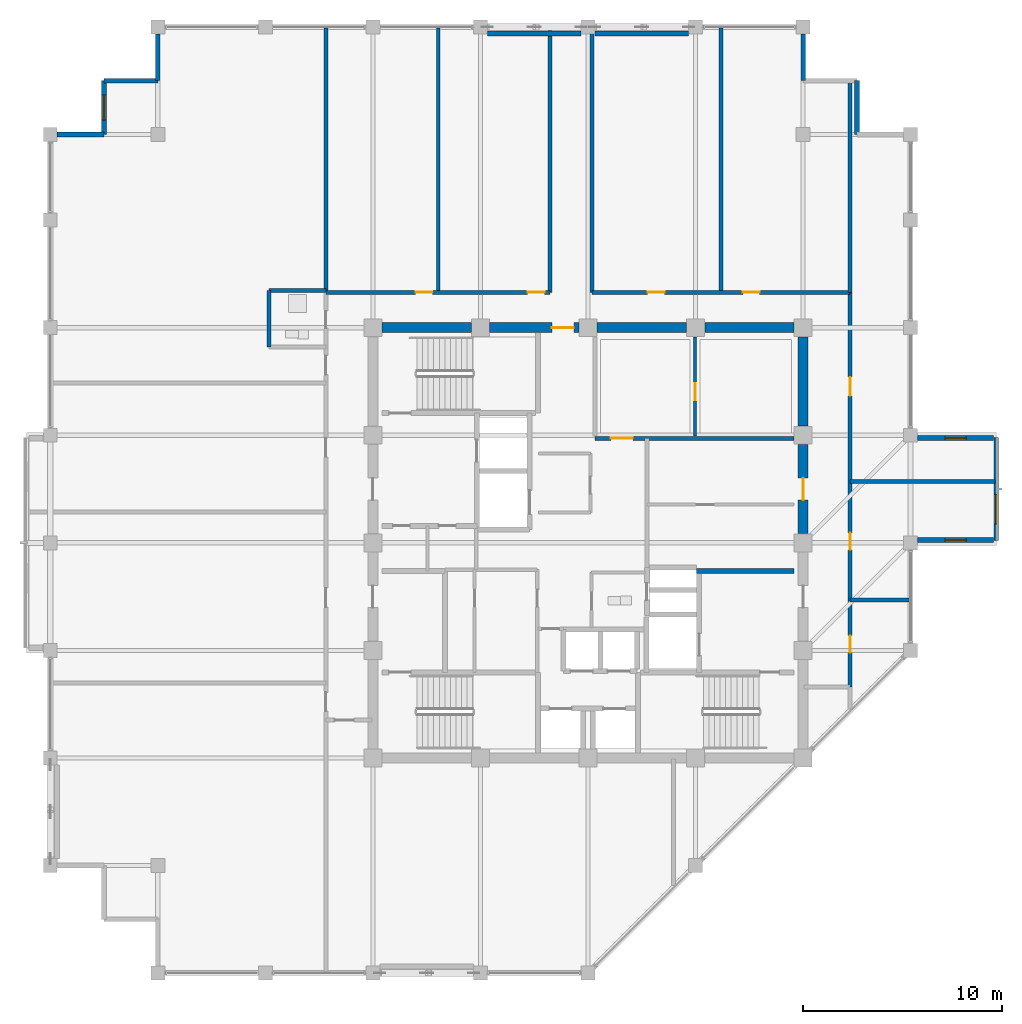
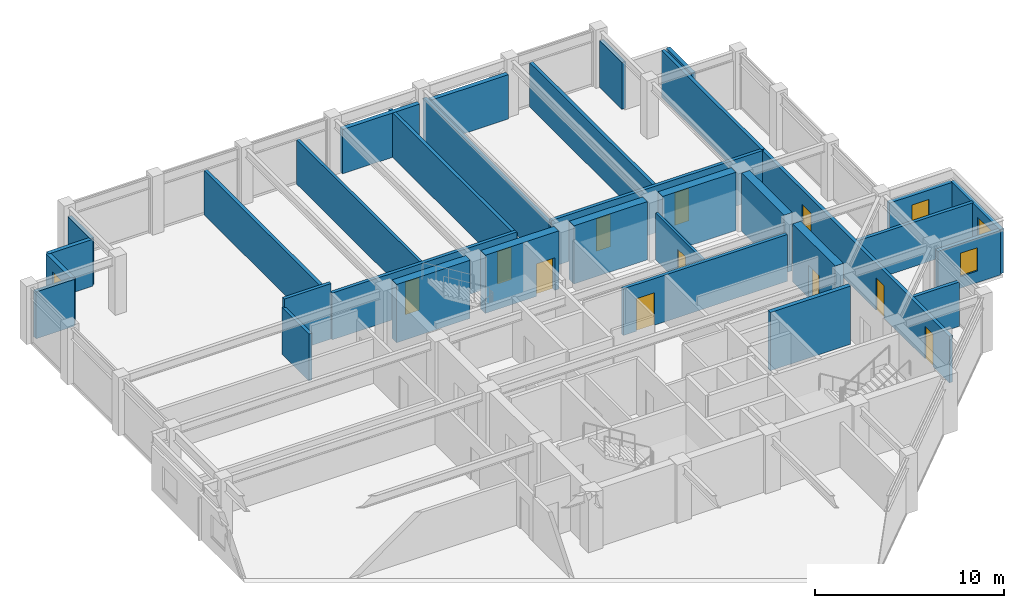
# One storey, part 26 of 30: 33 walls, 11 doors, 4 windows, 15 openings.
"""IFC4 building model written with IfcOpenShell, lengths in metres."""

import ifcopenshell
import ifcopenshell.guid

model = None  # the IFC model being written
_history = None  # IfcOwnerHistory: only IFC2X3 demands one
_inside = {}  # id of a spatial element -> (the spatial element, [elements in it])
_under = {}  # id of a project, library or spatial element -> (it, [spatial elements below it])
_declared = {}  # id of a project -> (the project, [libraries it declares])
_typed = {}  # id of a type object -> (the type object, [elements of that type])
_made_of = {}  # id of a material, layer set ... -> (it, [elements and type objects made of it])


def new_model(schema):
    """Start an empty IFC model of exactly this schema.

    Asked for "IFC4X3", IfcOpenShell would pick the latest addendum, in which some entities
    have other attributes; the version numbers below select the first issue.
    IFC2X3 requires an IfcOwnerHistory on every rooted entity: one is made here for all.
    """
    global model, _history
    if schema == "IFC4X3":
        model = ifcopenshell.file(schema_version=(4, 3, 0, 0))
    else:
        model = ifcopenshell.file(schema=schema)
    _inside.clear()
    _under.clear()
    _declared.clear()
    _typed.clear()
    _made_of.clear()
    _history = None
    if model.schema == "IFC2X3":
        org = make("IfcOrganization", Name="unknown")
        user = make(
            "IfcPersonAndOrganization",
            ThePerson=make("IfcPerson", FamilyName="unknown"),
            TheOrganization=org,
        )
        app = make(
            "IfcApplication",
            ApplicationDeveloper=org,
            Version="unknown",
            ApplicationFullName="unknown",
            ApplicationIdentifier="unknown",
        )
        _history = make(
            "IfcOwnerHistory",
            OwningUser=user,
            OwningApplication=app,
            ChangeAction="ADDED",
            CreationDate=0,
        )
    return model


def make(cls, **values):
    """One entity of the class cls with the attributes given. An attribute that is None is left unset."""
    return model.create_entity(
        cls, **{name: value for name, value in values.items() if value is not None}
    )


def rooted(cls, **values):
    """An entity with a GlobalId (a new one), such as an element, a storey or a relation."""
    return make(cls, GlobalId=ifcopenshell.guid.new(), OwnerHistory=_history, **values)


def si_unit(unit_type, name, prefix=None):
    """IfcSIUnit, for example si_unit("LENGTHUNIT", "METRE", prefix="MILLI")."""
    return make("IfcSIUnit", UnitType=unit_type, Prefix=prefix, Name=name)


def assignment(units):
    """IfcUnitAssignment: the units of a project."""
    return None if units is None else make("IfcUnitAssignment", Units=units)


def point(xyz):
    """IfcCartesianPoint."""
    return None if xyz is None else make("IfcCartesianPoint", Coordinates=xyz)


def direction(xyz):
    """IfcDirection."""
    return None if xyz is None else make("IfcDirection", DirectionRatios=xyz)


def frame(location, z_axis=None, x_axis=None):
    """IfcAxis2Placement3D, a coordinate frame: its origin and axes. An axis left out is left unset."""
    return make(
        "IfcAxis2Placement3D",
        Location=point(location),
        Axis=direction(z_axis),
        RefDirection=direction(x_axis),
    )


def frame_2d(location, x_axis=None):
    """IfcAxis2Placement2D, a coordinate frame in the plane: its origin and x axis."""
    return make(
        "IfcAxis2Placement2D", Location=point(location), RefDirection=direction(x_axis)
    )


def origin():
    """The frame at (0, 0, 0) with its axes left unset."""
    return frame((0.0, 0.0, 0.0))


def place(relative_to, where):
    """IfcLocalPlacement: puts the frame where relative to a parent placement (None: the world)."""
    return make(
        "IfcLocalPlacement", PlacementRelTo=relative_to, RelativePlacement=where
    )


def context(
    kind, dimensions, precision=None, world=None, true_north=None, identifier=None
):
    """IfcGeometricRepresentationContext, for example the 3D "Model" context."""
    return make(
        "IfcGeometricRepresentationContext",
        ContextIdentifier=identifier,
        ContextType=kind,
        CoordinateSpaceDimension=dimensions,
        Precision=precision,
        WorldCoordinateSystem=world,
        TrueNorth=true_north,
    )


def subcontext(parent, identifier, kind, view, scale=None):
    """IfcGeometricRepresentationSubContext, for example "Body" below "Model"."""
    return make(
        "IfcGeometricRepresentationSubContext",
        ContextIdentifier=identifier,
        ContextType=kind,
        ParentContext=parent,
        TargetScale=scale,
        TargetView=view,
    )


def project(units=None, contexts=None):
    """IfcProject with its units and contexts."""
    return rooted(
        "IfcProject",
        Name="project",
        RepresentationContexts=contexts,
        UnitsInContext=assignment(units),
    )


def spatial(cls, under=None, at=None, **own):
    """A site, building, storey or space (cls), placed at a placement, below another one or the project."""
    s = rooted(cls, ObjectPlacement=at, **own)
    if under is not None:
        _under.setdefault(under.id(), (under, []))[1].append(s)
    return s


def profile(cls, at=None, kind="AREA", **sizes):
    """A parametric profile (cls). Its sizes go by their IFC names, for example OverallWidth=200.0."""
    return make(cls, ProfileType=kind, Position=at, **sizes)


def rectangle(**sizes):
    """IfcRectangleProfileDef."""
    return profile("IfcRectangleProfileDef", **sizes)


def extrude(swept, where, along, depth):
    """IfcExtrudedAreaSolid: the profile swept, set in the frame where, extruded along a direction by depth."""
    return make(
        "IfcExtrudedAreaSolid",
        SweptArea=swept,
        Position=where,
        ExtrudedDirection=direction(along),
        Depth=depth,
    )


def shape(context_of_items, identifier, shape_type, items):
    """IfcShapeRepresentation: the items that make up one representation, for example the "Body"."""
    return make(
        "IfcShapeRepresentation",
        ContextOfItems=context_of_items,
        RepresentationIdentifier=identifier,
        RepresentationType=shape_type,
        Items=items,
    )


def material(Name=None, Category=None):
    """IfcMaterial."""
    return make("IfcMaterial", Name=Name, Category=Category)


def layer(
    of_material, thickness, ventilated=None, Name=None, Category=None, Priority=None
):
    """IfcMaterialLayer: one layer of a wall or slab, of a material (None: an air gap)."""
    return make(
        "IfcMaterialLayer",
        Material=of_material,
        LayerThickness=thickness,
        IsVentilated=ventilated,
        Name=Name,
        Category=Category,
        Priority=Priority,
    )


def layer_set(layers, Name=None):
    """IfcMaterialLayerSet."""
    return make("IfcMaterialLayerSet", MaterialLayers=layers, LayerSetName=Name)


def made_of(thing, what):
    """Note that an element or type object is made of a material, layer set ...; save() writes the relation."""
    if what is not None:
        _made_of.setdefault(what.id(), (what, []))[1].append(thing)
    return thing


def type_object(cls, material=None, **own):
    """A type object (cls), such as IfcWallType, which elements share."""
    return made_of(rooted(cls, **own), material)


def element(
    cls,
    number,
    at=None,
    inside=None,
    cuts=None,
    type_object=None,
    material=None,
    context=None,
    identifier="Body",
    shape_type=None,
    held_by="IfcProductDefinitionShape",
    body=None,
    shapes=None,
    **own,
):
    """One element of the class cls, such as IfcWall. Its Tag is "e" and its number.

    at: its placement. inside: the storey or other place that contains it. cuts: it is an
    opening in that element (IfcRelVoidsElement). A single representation is given by context,
    identifier, shape_type and body (its items); several are given by shapes. held_by: the class
    of the entity that holds the representations. save() writes the other relations.
    """
    e = rooted(cls, Tag="e%d" % number, ObjectPlacement=at, **own)
    if body is not None:
        shapes = [shape(context, identifier, shape_type, body)]
    if shapes is not None:
        e.Representation = make(held_by, Representations=shapes)
    if inside is not None:
        _inside.setdefault(inside.id(), (inside, []))[1].append(e)
    if cuts is not None:
        rooted(
            "IfcRelVoidsElement", RelatingBuildingElement=cuts, RelatedOpeningElement=e
        )
    if type_object is not None:
        _typed.setdefault(type_object.id(), (type_object, []))[1].append(e)
    return made_of(e, material)


def fill(opening, filler):
    """IfcRelFillsElement: the door or window that sits in an opening."""
    return rooted(
        "IfcRelFillsElement",
        RelatingOpeningElement=opening,
        RelatedBuildingElement=filler,
    )


def aggregate(whole, parts):
    """IfcRelAggregates: a whole, such as a stair, and the parts it consists of."""
    return rooted("IfcRelAggregates", RelatingObject=whole, RelatedObjects=parts)


def save(model, path):
    """Write the relations noted so far, then the file.

    IfcRelAggregates (storeys below a building ...), IfcRelContainedInSpatialStructure (elements
    in a storey), IfcRelDefinesByType, IfcRelAssociatesMaterial and IfcRelDeclares: one each for
    every whole, place, type object, material and project.
    """
    for whole, parts in _under.values():
        aggregate(whole, parts)
    for where, things in _inside.values():
        rooted(
            "IfcRelContainedInSpatialStructure",
            RelatedElements=things,
            RelatingStructure=where,
        )
    for kind, things in _typed.values():
        rooted("IfcRelDefinesByType", RelatedObjects=things, RelatingType=kind)
    for what, things in _made_of.values():
        rooted("IfcRelAssociatesMaterial", RelatedObjects=things, RelatingMaterial=what)
    for by, libraries in _declared.values():
        rooted("IfcRelDeclares", RelatingContext=by, RelatedDefinitions=libraries)
    model.write(path)


model = new_model("IFC4")

# Units and contexts
model_context = context("Model", 3, precision=1e-05, world=origin(), true_north=direction((0.0, 1.0)))
body_context = subcontext(model_context, "Body", "Model", "MODEL_VIEW")
ifc_project = project(units=[si_unit("LENGTHUNIT", "METRE"), si_unit("AREAUNIT", "SQUARE_METRE"), si_unit("VOLUMEUNIT", "CUBIC_METRE"), si_unit("PLANEANGLEUNIT", "RADIAN"), si_unit("MASSUNIT", "GRAM", prefix="KILO")], contexts=[model_context])

# Site, building, storey
site_placement = place(None, origin())
site = spatial("IfcSite", under=ifc_project, at=site_placement, CompositionType="ELEMENT")
building_placement = place(site_placement, origin())
building = spatial("IfcBuilding", under=site, at=building_placement, Name="Surkhivell Harbour Commons", CompositionType="ELEMENT")
storey_placement = place(building_placement, frame((0.0, 0.0, 307.5)))
storey = spatial("IfcBuildingStorey", under=building, at=storey_placement, Name="L80", CompositionType="ELEMENT", Elevation=307.5)

# Wall
ifc_material_1 = material(Name="Concrete C50/60", Category="concrete")
ifc_layer_1 = layer(ifc_material_1, 0.5)
ifc_layer_set_1 = layer_set([ifc_layer_1], Name="Concrete C50/60")
wall_type_1 = type_object("IfcWallType", Name="WAL-CORE-500", PredefinedType="SHEAR", material=ifc_layer_set_1)
wall_1_placement = place(storey_placement, frame((-10.340087890625, 10.800048828125, 0.0), z_axis=(0.0, 0.0, 1.0), x_axis=(1.0, 0.0, 0.0)))
element("IfcWall", 1, at=wall_1_placement, inside=storey, type_object=wall_type_1, Name="L80 Core Shear Wall North 1", PredefinedType="SHEAR", context=body_context, shape_type="SweptSolid", body=[
    extrude(rectangle(XDim=4.47998046875, YDim=0.5, at=frame_2d((2.239990234375, 0.0))), origin(), (0.0, 0.0, 1.0), 3.75),
])

# Wall, opening, door
wall_2_placement = place(storey_placement, frame((-4.93994140625, 10.800048828125, 0.0), z_axis=(0.0, 0.0, 1.0), x_axis=(1.0, 0.0, 0.0)))
wall_2 = element("IfcWall", 2, at=wall_2_placement, inside=storey, type_object=wall_type_1, Name="L80 Core Shear Wall North 2", PredefinedType="SHEAR", context=body_context, shape_type="SweptSolid", body=[
    extrude(rectangle(XDim=4.47998046875, YDim=0.5, at=frame_2d((2.239990234375, 0.0))), origin(), (0.0, 0.0, 1.0), 3.75),
])
opening_1_placement = place(wall_2_placement, frame((3.1298828125, 0.0, 0.0)))
opening_1 = element("IfcOpeningElement", 3, at=opening_1_placement, cuts=wall_2, Name="Opening ID-2", PredefinedType="OPENING", context=body_context, shape_type="SweptSolid", body=[
    extrude(rectangle(XDim=1.10009765625, YDim=2.10009765625, at=frame_2d((0.550048828125, 1.050048828125))), frame((0.0, 0.260009765625, 0.0), z_axis=(0.0, -1.0, 0.0), x_axis=(1.0, 0.0, 0.0)), (0.0, 0.0, 1.0), 0.52001953125),
])
ifc_material_2 = material(Name="Hardwood-veneered fire-rated door leaf", Category="wood")
door_type_1 = type_object("IfcDoorType", Name="DOR-FD60-1100", OperationType="NOTDEFINED", PredefinedType="DOOR", material=ifc_material_2)
door_1_placement = place(opening_1_placement, origin())
door_1 = element("IfcDoor", 4, at=door_1_placement, inside=storey, type_object=door_type_1, Name="L80 Central Core Lift Hall North Corridor Door", OperationType="SINGLE_SWING_LEFT", OverallHeight=2.10009765625, OverallWidth=1.10009765625, PredefinedType="DOOR", context=body_context, shape_type="SweptSolid", body=[
    extrude(rectangle(XDim=1.10009765625, YDim=2.10009765625, at=frame_2d((0.550048828125, 1.050048828125))), frame((0.0, 0.02490234375, 0.0), z_axis=(0.0, -1.0, 0.0), x_axis=(1.0, 0.0, 0.0)), (0.0, 0.0, 1.0), 0.050048828125),
])
fill(opening_1, door_1)

# Wall
wall_3_placement = place(storey_placement, frame((0.4599609375, 10.800048828125, 0.0), z_axis=(0.0, 0.0, 1.0), x_axis=(1.0, 0.0, 0.0)))
element("IfcWall", 5, at=wall_3_placement, inside=storey, type_object=wall_type_1, Name="L80 Core Shear Wall North 3", PredefinedType="SHEAR", context=body_context, shape_type="SweptSolid", body=[
    extrude(rectangle(XDim=4.47998046875, YDim=0.5, at=frame_2d((2.239990234375, 0.0))), origin(), (0.0, 0.0, 1.0), 3.75),
])

# Wall, opening, door
wall_4_placement = place(storey_placement, frame((10.800048828125, 0.4599609375, 0.0), z_axis=(0.0, 0.0, 1.0), x_axis=(0.0, 1.0, 0.0)))
wall_4 = element("IfcWall", 6, at=wall_4_placement, inside=storey, type_object=wall_type_1, Name="L80 Core Shear Wall East 3", PredefinedType="SHEAR", context=body_context, shape_type="SweptSolid", body=[
    extrude(rectangle(XDim=4.47998046875, YDim=0.5, at=frame_2d((2.239990234375, 0.0))), origin(), (0.0, 0.0, 1.0), 3.75),
])
opening_2_placement = place(wall_4_placement, frame((1.68994140625, 0.0, 0.0)))
opening_2 = element("IfcOpeningElement", 7, at=opening_2_placement, cuts=wall_4, Name="Opening ID-2", PredefinedType="OPENING", context=body_context, shape_type="SweptSolid", body=[
    extrude(rectangle(XDim=1.10009765625, YDim=2.10009765625, at=frame_2d((0.550048828125, 1.050048828125))), frame((0.0, 0.260009765625, 0.0), z_axis=(0.0, -1.0, 0.0), x_axis=(1.0, 0.0, 0.0)), (0.0, 0.0, 1.0), 0.52001953125),
])
door_2_placement = place(opening_2_placement, origin())
door_2 = element("IfcDoor", 8, at=door_2_placement, inside=storey, type_object=door_type_1, Name="L80 Media Lounge East Door", OperationType="SINGLE_SWING_RIGHT", OverallHeight=2.10009765625, OverallWidth=1.10009765625, PredefinedType="DOOR", context=body_context, shape_type="SweptSolid", body=[
    extrude(rectangle(XDim=1.10009765625, YDim=2.10009765625, at=frame_2d((0.550048828125, 1.050048828125))), frame((0.0, 0.02490234375, 0.0), z_axis=(0.0, -1.0, 0.0), x_axis=(1.0, 0.0, 0.0)), (0.0, 0.0, 1.0), 0.050048828125),
])
fill(opening_2, door_2)

# Walls
for number, where, z_axis, x_axis, name in (
    (9, (5.860107421875, 10.800048828125, 0.0), (0.0, 0.0, 1.0), (1.0, 0.0, 0.0), "L80 Core Shear Wall North 4"),
    (10, (10.800048828125, 5.860107421875, 0.0), (0.0, 0.0, 1.0), (0.0, 1.0, 0.0), "L80 Core Shear Wall East 4"),
):
    element("IfcWall", number, at=place(storey_placement, frame(where, z_axis=z_axis, x_axis=x_axis)), inside=storey, type_object=wall_type_1, Name=name, PredefinedType="SHEAR", context=body_context, shape_type="SweptSolid", body=[
        extrude(rectangle(XDim=4.47998046875, YDim=0.5, at=frame_2d((2.239990234375, 0.0))), origin(), (0.0, 0.0, 1.0), 3.75),
    ])
ifc_material_3 = material(Name="Pale-metal insulated precast concrete C45/55", Category="concrete")
ifc_layer_2 = layer(ifc_material_3, 0.260009765625)
ifc_layer_set_2 = layer_set([ifc_layer_2], Name="Pale-metal insulated precast concrete C45/55")
wall_type_2 = type_object("IfcWallType", Name="WAL-EXT-MTL260", PredefinedType="STANDARD", material=ifc_layer_set_2)
for number, where, z_axis, x_axis, name in (
    (11, (-0.347900390625, 25.56494140625, 0.0), (0.0, 0.0, 1.0), (-1.0, 0.0, 0.0), "L80 Braced-Bay Insulated Spandrel Backing N"),
    (12, (5.052001953125, 25.56494140625, 0.0), (0.0, 0.0, 1.0), (-1.0, 0.0, 0.0), "L80 Braced-Bay Insulated Spandrel Backing N2"),
):
    element("IfcWall", number, at=place(storey_placement, frame(where, z_axis=z_axis, x_axis=x_axis)), inside=storey, type_object=wall_type_2, Name=name, PredefinedType="STANDARD", context=body_context, shape_type="SweptSolid", body=[
        extrude(rectangle(XDim=4.7041015625, YDim=0.260009765625, at=frame_2d((2.35205078125, 0.0))), origin(), (0.0, 0.0, 1.0), 2.85693359375),
    ])

# Wall, opening, window
ifc_material_4 = material(Name="Bronze-ochre cassette precast concrete C45/55", Category="concrete")
ifc_layer_3 = layer(ifc_material_4, 0.239990234375)
ifc_layer_set_3 = layer_set([ifc_layer_3], Name="Bronze-ochre cassette precast concrete C45/55")
wall_type_3 = type_object("IfcWallType", Name="WAL-EXT-OCH240", PredefinedType="STANDARD", material=ifc_layer_set_3)
wall_5_placement = place(storey_placement, frame((20.5, 0.1201171875, 0.0), z_axis=(0.0, 0.0, 1.0), x_axis=(0.0, 1.0, 0.0)))
wall_5 = element("IfcWall", 13, at=wall_5_placement, inside=storey, type_object=wall_type_3, Name="L80 Coloured Box Front Wall 01", PredefinedType="STANDARD", context=body_context, shape_type="SweptSolid", body=[
    extrude(rectangle(XDim=5.159912109375, YDim=0.239990234375, at=frame_2d((2.580078125, 0.0))), origin(), (0.0, 0.0, 1.0), 2.85693359375),
])
opening_3_placement = place(wall_5_placement, frame((0.81494140625, 0.0, 0.75)))
opening_3 = element("IfcOpeningElement", 14, at=opening_3_placement, cuts=wall_5, Name="Opening WN-13", PredefinedType="OPENING", context=body_context, shape_type="SweptSolid", body=[
    extrude(rectangle(XDim=1.5, YDim=1.5, at=frame_2d((0.75, 0.75))), frame((0.0, 0.1298828125, 0.0), z_axis=(0.0, -1.0, 0.0), x_axis=(1.0, 0.0, 0.0)), (0.0, 0.0, 1.0), 0.260009765625),
])
ifc_material_5 = material(Name="Thermal-break aluminium frame and double low-E glazing", Category="aluminium")
window_type_1 = type_object("IfcWindowType", Name="WIN-BOX-1500x1500", PartitioningType="SINGLE_PANEL", PredefinedType="WINDOW", material=ifc_material_5)
window_1_placement = place(opening_3_placement, origin())
window_1 = element("IfcWindow", 15, at=window_1_placement, inside=storey, type_object=window_type_1, Name="L80 Coloured Box Square Window 01-1", OverallHeight=1.5, OverallWidth=1.5, PartitioningType="SINGLE_PANEL", PredefinedType="WINDOW", context=body_context, shape_type="SweptSolid", body=[
    extrude(rectangle(XDim=1.5, YDim=1.5, at=frame_2d((0.75, 0.75))), frame((0.0, 0.030029296875, 0.0), z_axis=(0.0, -1.0, 0.0), x_axis=(1.0, 0.0, 0.0)), (0.0, 0.0, 1.0), 0.06005859375),
])
fill(opening_3, window_1)

wall_6_placement = place(storey_placement, frame((16.553955078125, 0.139892578125, 0.0), z_axis=(0.0, 0.0, 1.0), x_axis=(1.0, 0.0, 0.0)))
wall_6 = element("IfcWall", 16, at=wall_6_placement, inside=storey, type_object=wall_type_3, Name="L80 Coloured Box Return Wall 01S", PredefinedType="STANDARD", context=body_context, shape_type="SweptSolid", body=[
    extrude(rectangle(XDim=3.80615234375, YDim=0.239990234375, at=frame_2d((1.903076171875, 0.0))), origin(), (0.0, 0.0, 1.0), 2.85693359375),
])
opening_4_placement = place(wall_6_placement, frame((1.3779296875, 0.0, 0.75)))
opening_4 = element("IfcOpeningElement", 17, at=opening_4_placement, cuts=wall_6, Name="Opening WN-11", PredefinedType="OPENING", context=body_context, shape_type="SweptSolid", body=[
    extrude(rectangle(XDim=1.050048828125, YDim=1.5, at=frame_2d((0.52490234375, 0.75))), frame((0.0, 0.1298828125, 0.0), z_axis=(0.0, -1.0, 0.0), x_axis=(1.0, 0.0, 0.0)), (0.0, 0.0, 1.0), 0.260009765625),
])
window_type_2 = type_object("IfcWindowType", Name="WIN-SER-1050x1500", PartitioningType="SINGLE_PANEL", PredefinedType="WINDOW", material=ifc_material_5)
window_2_placement = place(opening_4_placement, origin())
window_2 = element("IfcWindow", 18, at=window_2_placement, inside=storey, type_object=window_type_2, Name="L80 Coloured Box Return Window 01S", OverallHeight=1.5, OverallWidth=1.050048828125, PartitioningType="SINGLE_PANEL", PredefinedType="WINDOW", context=body_context, shape_type="SweptSolid", body=[
    extrude(rectangle(XDim=1.050048828125, YDim=1.5, at=frame_2d((0.52490234375, 0.75))), frame((0.0, 0.030029296875, 0.0), z_axis=(0.0, -1.0, 0.0), x_axis=(1.0, 0.0, 0.0)), (0.0, 0.0, 1.0), 0.06005859375),
])
fill(opening_4, window_2)

wall_7_placement = place(storey_placement, frame((16.553955078125, 5.260009765625, 0.0), z_axis=(0.0, 0.0, 1.0), x_axis=(1.0, 0.0, 0.0)))
wall_7 = element("IfcWall", 19, at=wall_7_placement, inside=storey, type_object=wall_type_3, Name="L80 Coloured Box Return Wall 01N", PredefinedType="STANDARD", context=body_context, shape_type="SweptSolid", body=[
    extrude(rectangle(XDim=3.80615234375, YDim=0.239990234375, at=frame_2d((1.903076171875, 0.0))), origin(), (0.0, 0.0, 1.0), 2.85693359375),
])
opening_5_placement = place(wall_7_placement, frame((1.3779296875, 0.0, 0.75)))
opening_5 = element("IfcOpeningElement", 20, at=opening_5_placement, cuts=wall_7, Name="Opening WN-11", PredefinedType="OPENING", context=body_context, shape_type="SweptSolid", body=[
    extrude(rectangle(XDim=1.050048828125, YDim=1.5, at=frame_2d((0.52490234375, 0.75))), frame((0.0, 0.1298828125, 0.0), z_axis=(0.0, -1.0, 0.0), x_axis=(1.0, 0.0, 0.0)), (0.0, 0.0, 1.0), 0.260009765625),
])
window_3_placement = place(opening_5_placement, origin())
window_3 = element("IfcWindow", 21, at=window_3_placement, inside=storey, type_object=window_type_2, Name="L80 Coloured Box Return Window 01N", OverallHeight=1.5, OverallWidth=1.050048828125, PartitioningType="SINGLE_PANEL", PredefinedType="WINDOW", context=body_context, shape_type="SweptSolid", body=[
    extrude(rectangle(XDim=1.050048828125, YDim=1.5, at=frame_2d((0.52490234375, 0.75))), frame((0.0, 0.030029296875, 0.0), z_axis=(0.0, -1.0, 0.0), x_axis=(1.0, 0.0, 0.0)), (0.0, 0.0, 1.0), 0.06005859375),
])
fill(opening_5, window_3)

# Walls
wall_8_placement = place(storey_placement, frame((13.5, 20.5, 0.0), z_axis=(0.0, 0.0, 1.0), x_axis=(0.0, 1.0, 0.0)))
element("IfcWall", 22, at=wall_8_placement, inside=storey, type_object=wall_type_3, Name="L80 Serrated Corner Facade Wall 04", PredefinedType="STANDARD", context=body_context, shape_type="SweptSolid", body=[
    extrude(rectangle(XDim=2.699951171875, YDim=0.239990234375, at=frame_2d((1.35009765625, 0.0))), origin(), (0.0, 0.0, 1.0), 3.012939453125),
])
for number, where, z_axis, x_axis, name in (
    (23, (10.800048828125, 23.199951171875, 0.0), (0.0, 0.0, 1.0), (0.0, 1.0, 0.0), "L80 Serrated Corner Facade Wall 06"),
    (24, (-21.60009765625, 25.552001953125, 0.0), (0.0, 0.0, 1.0), (0.0, -1.0, 0.0), "L80 Serrated Corner Facade Wall 08"),
):
    element("IfcWall", number, at=place(storey_placement, frame(where, z_axis=z_axis, x_axis=x_axis)), inside=storey, type_object=wall_type_3, Name=name, PredefinedType="STANDARD", context=body_context, shape_type="SweptSolid", body=[
        extrude(rectangle(XDim=2.35205078125, YDim=0.239990234375, at=frame_2d((1.176025390625, 0.0))), origin(), (0.0, 0.0, 1.0), 3.012939453125),
    ])
wall_9_placement = place(storey_placement, frame((-21.60009765625, 23.199951171875, 0.0), z_axis=(0.0, 0.0, 1.0), x_axis=(-1.0, 0.0, 0.0)))
element("IfcWall", 25, at=wall_9_placement, inside=storey, type_object=wall_type_3, Name="L80 Serrated Corner Facade Wall 09", PredefinedType="STANDARD", context=body_context, shape_type="SweptSolid", body=[
    extrude(rectangle(XDim=2.699951171875, YDim=0.239990234375, at=frame_2d((1.35009765625, 0.0))), origin(), (0.0, 0.0, 1.0), 3.012939453125),
])

# Wall, opening, window
wall_10_placement = place(storey_placement, frame((-24.300048828125, 23.199951171875, 0.0), z_axis=(0.0, 0.0, 1.0), x_axis=(0.0, -1.0, 0.0)))
wall_10 = element("IfcWall", 26, at=wall_10_placement, inside=storey, type_object=wall_type_3, Name="L80 Serrated Corner Facade Wall 10", PredefinedType="STANDARD", context=body_context, shape_type="SweptSolid", body=[
    extrude(rectangle(XDim=2.699951171875, YDim=0.239990234375, at=frame_2d((1.35009765625, 0.0))), origin(), (0.0, 0.0, 1.0), 3.012939453125),
])
opening_6_placement = place(wall_10_placement, frame((0.72509765625, 0.0, 0.64990234375)))
opening_6 = element("IfcOpeningElement", 27, at=opening_6_placement, cuts=wall_10, Name="Opening WN-09", PredefinedType="OPENING", context=body_context, shape_type="SweptSolid", body=[
    extrude(rectangle(XDim=1.25, YDim=1.60009765625, at=frame_2d((0.625, 0.800048828125))), frame((0.0, 0.1298828125, 0.0), z_axis=(0.0, -1.0, 0.0), x_axis=(1.0, 0.0, 0.0)), (0.0, 0.0, 1.0), 0.260009765625),
])
window_type_3 = type_object("IfcWindowType", Name="WIN-SER-1250x1600", PartitioningType="SINGLE_PANEL", PredefinedType="WINDOW", material=ifc_material_5)
window_4_placement = place(opening_6_placement, origin())
window_4 = element("IfcWindow", 28, at=window_4_placement, inside=storey, type_object=window_type_3, Name="L80 Serrated Alcove Window 10", OverallHeight=1.60009765625, OverallWidth=1.25, PartitioningType="SINGLE_PANEL", PredefinedType="WINDOW", context=body_context, shape_type="SweptSolid", body=[
    extrude(rectangle(XDim=1.25, YDim=1.60009765625, at=frame_2d((0.625, 0.800048828125))), frame((0.0, 0.030029296875, 0.0), z_axis=(0.0, -1.0, 0.0), x_axis=(1.0, 0.0, 0.0)), (0.0, 0.0, 1.0), 0.06005859375),
])
fill(opening_6, window_4)

# Wall
wall_11_placement = place(storey_placement, frame((-24.300048828125, 20.5, 0.0), z_axis=(0.0, 0.0, 1.0), x_axis=(-1.0, 0.0, 0.0)))
element("IfcWall", 29, at=wall_11_placement, inside=storey, type_object=wall_type_3, Name="L80 Serrated Corner Facade Wall 11", PredefinedType="STANDARD", context=body_context, shape_type="SweptSolid", body=[
    extrude(rectangle(XDim=2.35205078125, YDim=0.239990234375, at=frame_2d((1.176025390625, 0.0))), origin(), (0.0, 0.0, 1.0), 3.012939453125),
])

# Wall, opening, door
ifc_material_6 = material(Name="Twin-stud acoustic fireboard partition", Category="other")
ifc_layer_4 = layer(ifc_material_6, 0.14990234375)
ifc_layer_set_4 = layer_set([ifc_layer_4], Name="Twin-stud acoustic fireboard partition")
wall_type_4 = type_object("IfcWallType", Name="WAL-INT-150", PredefinedType="PARTITIONING", material=ifc_layer_set_4)
wall_12_placement = place(storey_placement, frame((5.3798828125, 5.360107421875, 0.0), z_axis=(0.0, 0.0, 1.0), x_axis=(0.0, 1.0, 0.0)))
wall_12 = element("IfcWall", 30, at=wall_12_placement, inside=storey, type_object=wall_type_4, Name="L80 Core Library Divider", PredefinedType="PARTITIONING", context=body_context, shape_type="SweptSolid", body=[
    extrude(rectangle(XDim=4.97998046875, YDim=0.14990234375, at=frame_2d((2.489990234375, 0.0))), origin(), (0.0, 0.0, 1.0), 3.012939453125),
])
opening_7_placement = place(wall_12_placement, frame((1.800048828125, 0.0, 0.0)))
opening_7 = element("IfcOpeningElement", 31, at=opening_7_placement, cuts=wall_12, Name="Opening ID-6", PredefinedType="OPENING", context=body_context, shape_type="SweptSolid", body=[
    extrude(rectangle(XDim=0.85009765625, YDim=2.10009765625, at=frame_2d((0.425048828125, 1.050048828125))), frame((0.0, 0.0849609375, 0.0), z_axis=(0.0, -1.0, 0.0), x_axis=(1.0, 0.0, 0.0)), (0.0, 0.0, 1.0), 0.169921875),
])
door_type_2 = type_object("IfcDoorType", Name="DOR-FD30-850", OperationType="NOTDEFINED", PredefinedType="DOOR", material=ifc_material_2)
door_3_placement = place(opening_7_placement, origin())
door_3 = element("IfcDoor", 32, at=door_3_placement, inside=storey, type_object=door_type_2, Name="L80 Core Reading Door", OperationType="SINGLE_SWING_RIGHT", OverallHeight=2.10009765625, OverallWidth=0.85009765625, PredefinedType="DOOR", context=body_context, shape_type="SweptSolid", body=[
    extrude(rectangle(XDim=0.85009765625, YDim=2.10009765625, at=frame_2d((0.425048828125, 1.050048828125))), frame((0.0, 0.02490234375, 0.0), z_axis=(0.0, -1.0, 0.0), x_axis=(1.0, 0.0, 0.0)), (0.0, 0.0, 1.0), 0.050048828125),
])
fill(opening_7, door_3)

# Wall
ifc_material_7 = material(Name="High-density acoustic blockwork fire partition", Category="masonry")
ifc_layer_5 = layer(ifc_material_7, 0.175048828125)
ifc_layer_set_5 = layer_set([ifc_layer_5], Name="High-density acoustic blockwork fire partition")
wall_type_5 = type_object("IfcWallType", Name="WAL-INT-175", PredefinedType="PARTITIONING", material=ifc_layer_set_5)
wall_13_placement = place(storey_placement, frame((-7.530029296875, 12.580078125, 0.0), z_axis=(0.0, 0.0, 1.0), x_axis=(0.0, 1.0, 0.0)))
element("IfcWall", 33, at=wall_13_placement, inside=storey, type_object=wall_type_5, Name="L80 North-West Partition P1", PredefinedType="PARTITIONING", context=body_context, shape_type="SweptSolid", body=[
    extrude(rectangle(XDim=13.260009765625, YDim=0.175048828125, at=frame_2d((6.6298828125, 0.0))), origin(), (0.0, 0.0, 1.0), 2.85693359375),
])

# Wall, opening, door
ifc_material_8 = material(Name="Autoclaved aerated concrete blockwork and fire plaster", Category="masonry")
ifc_layer_6 = layer(ifc_material_8, 0.199951171875)
ifc_layer_set_6 = layer_set([ifc_layer_6], Name="Autoclaved aerated concrete blockwork and fire plaster")
wall_type_6 = type_object("IfcWallType", Name="WAL-INT-200", PredefinedType="PARTITIONING", material=ifc_layer_set_6)
wall_14_placement = place(storey_placement, frame((0.35009765625, 5.239990234375, 0.0), z_axis=(0.0, 0.0, 1.0), x_axis=(1.0, 0.0, 0.0)))
wall_14 = element("IfcWall", 34, at=wall_14_placement, inside=storey, type_object=wall_type_6, Name="L80 Reclaimed Core North Bay South Wall", PredefinedType="PARTITIONING", context=body_context, shape_type="SweptSolid", body=[
    extrude(rectangle(XDim=9.989990234375, YDim=0.199951171875, at=frame_2d((4.9951171875, 0.0))), origin(), (0.0, 0.0, 1.0), 3.012939453125),
])
opening_8_placement = place(wall_14_placement, frame((0.800048828125, 0.0, 0.0)))
opening_8 = element("IfcOpeningElement", 35, at=opening_8_placement, cuts=wall_14, Name="Opening ID-2", PredefinedType="OPENING", context=body_context, shape_type="SweptSolid", body=[
    extrude(rectangle(XDim=1.10009765625, YDim=2.10009765625, at=frame_2d((0.550048828125, 1.050048828125))), frame((0.0, 0.10986328125, 0.0), z_axis=(0.0, -1.0, 0.0), x_axis=(1.0, 0.0, 0.0)), (0.0, 0.0, 1.0), 0.219970703125),
])
door_4_placement = place(opening_8_placement, origin())
door_4 = element("IfcDoor", 36, at=door_4_placement, inside=storey, type_object=door_type_1, Name="L80 Core Study Door", OperationType="SINGLE_SWING_LEFT", OverallHeight=2.10009765625, OverallWidth=1.10009765625, PredefinedType="DOOR", context=body_context, shape_type="SweptSolid", body=[
    extrude(rectangle(XDim=1.10009765625, YDim=2.10009765625, at=frame_2d((0.550048828125, 1.050048828125))), frame((0.0, 0.02490234375, 0.0), z_axis=(0.0, -1.0, 0.0), x_axis=(1.0, 0.0, 0.0)), (0.0, 0.0, 1.0), 0.050048828125),
])
fill(opening_8, door_4)

# Walls
wall_15_placement = place(storey_placement, frame((13.159912109375, 12.580078125, 0.0), z_axis=(0.0, 0.0, 1.0), x_axis=(0.0, 1.0, 0.0)))
element("IfcWall", 37, at=wall_15_placement, inside=storey, type_object=wall_type_6, Name="L80 North-East Corner Wall", PredefinedType="PARTITIONING", context=body_context, shape_type="SweptSolid", body=[
    extrude(rectangle(XDim=10.559814453125, YDim=0.199951171875, at=frame_2d((5.27978515625, 0.0))), origin(), (0.0, 0.0, 1.0), 3.012939453125),
])
wall_16_placement = place(storey_placement, frame((-13.159912109375, 12.580078125, 0.0), z_axis=(0.0, 0.0, 1.0), x_axis=(0.0, 1.0, 0.0)))
element("IfcWall", 38, at=wall_16_placement, inside=storey, type_object=wall_type_6, Name="L80 North-West Corner Wall", PredefinedType="PARTITIONING", context=body_context, shape_type="SweptSolid", body=[
    extrude(rectangle(XDim=13.260009765625, YDim=0.199951171875, at=frame_2d((6.6298828125, 0.0))), origin(), (0.0, 0.0, 1.0), 2.85693359375),
])

# Wall, openings, doors
wall_17_placement = place(storey_placement, frame((13.159912109375, -7.239990234375, 0.0), z_axis=(0.0, 0.0, 1.0), x_axis=(0.0, 1.0, 0.0)))
wall_17 = element("IfcWall", 39, at=wall_17_placement, inside=storey, type_object=wall_type_6, Name="L80 East Corridor Wall", PredefinedType="PARTITIONING", context=body_context, shape_type="SweptSolid", body=[
    extrude(rectangle(XDim=19.820068359375, YDim=0.199951171875, at=frame_2d((9.91015625, 0.0))), origin(), (0.0, 0.0, 1.0), 3.012939453125),
])
opening_9_placement = place(wall_17_placement, frame((1.72998046875, 0.0, 0.0)))
opening_9 = element("IfcOpeningElement", 40, at=opening_9_placement, cuts=wall_17, Name="Opening ID-6", PredefinedType="OPENING", context=body_context, shape_type="SweptSolid", body=[
    extrude(rectangle(XDim=0.85009765625, YDim=2.10009765625, at=frame_2d((0.425048828125, 1.050048828125))), frame((0.0, 0.10986328125, 0.0), z_axis=(0.0, -1.0, 0.0), x_axis=(1.0, 0.0, 0.0)), (0.0, 0.0, 1.0), 0.219970703125),
])
opening_10_placement = place(wall_17_placement, frame((6.885009765625, 0.0, 0.0)))
opening_10 = element("IfcOpeningElement", 41, at=opening_10_placement, cuts=wall_17, Name="Opening ID-6", PredefinedType="OPENING", context=body_context, shape_type="SweptSolid", body=[
    extrude(rectangle(XDim=0.85009765625, YDim=2.10009765625, at=frame_2d((0.425048828125, 1.050048828125))), frame((0.0, 0.10986328125, 0.0), z_axis=(0.0, -1.0, 0.0), x_axis=(1.0, 0.0, 0.0)), (0.0, 0.0, 1.0), 0.219970703125),
])
opening_11_placement = place(wall_17_placement, frame((14.614990234375, 0.0, 0.0)))
opening_11 = element("IfcOpeningElement", 42, at=opening_11_placement, cuts=wall_17, Name="Opening ID-4", PredefinedType="OPENING", context=body_context, shape_type="SweptSolid", body=[
    extrude(rectangle(XDim=0.949951171875, YDim=2.10009765625, at=frame_2d((0.47509765625, 1.050048828125))), frame((0.0, 0.10986328125, 0.0), z_axis=(0.0, -1.0, 0.0), x_axis=(1.0, 0.0, 0.0)), (0.0, 0.0, 1.0), 0.219970703125),
])
door_5_placement = place(opening_9_placement, origin())
door_5 = element("IfcDoor", 43, at=door_5_placement, inside=storey, type_object=door_type_2, Name="L80 Co-Working Study Office 1 East Door", OperationType="SINGLE_SWING_RIGHT", OverallHeight=2.10009765625, OverallWidth=0.85009765625, PredefinedType="DOOR", context=body_context, shape_type="SweptSolid", body=[
    extrude(rectangle(XDim=0.85009765625, YDim=2.10009765625, at=frame_2d((0.425048828125, 1.050048828125))), frame((0.0, 0.02490234375, 0.0), z_axis=(0.0, -1.0, 0.0), x_axis=(1.0, 0.0, 0.0)), (0.0, 0.0, 1.0), 0.050048828125),
])
fill(opening_9, door_5)
door_6_placement = place(opening_10_placement, origin())
door_6 = element("IfcDoor", 44, at=door_6_placement, inside=storey, type_object=door_type_2, Name="L80 Co-Working Study Office 2 East Door", OperationType="SINGLE_SWING_LEFT", OverallHeight=2.10009765625, OverallWidth=0.85009765625, PredefinedType="DOOR", context=body_context, shape_type="SweptSolid", body=[
    extrude(rectangle(XDim=0.85009765625, YDim=2.10009765625, at=frame_2d((0.425048828125, 1.050048828125))), frame((0.0, 0.02490234375, 0.0), z_axis=(0.0, -1.0, 0.0), x_axis=(1.0, 0.0, 0.0)), (0.0, 0.0, 1.0), 0.050048828125),
])
fill(opening_10, door_6)
door_type_3 = type_object("IfcDoorType", Name="DOR-FD60-950", OperationType="NOTDEFINED", PredefinedType="DOOR", material=ifc_material_2)
door_7_placement = place(opening_11_placement, origin())
door_7 = element("IfcDoor", 45, at=door_7_placement, inside=storey, type_object=door_type_3, Name="L80 Co-Working Study Office 3 East Door", OperationType="SINGLE_SWING_RIGHT", OverallHeight=2.10009765625, OverallWidth=0.949951171875, PredefinedType="DOOR", context=body_context, shape_type="SweptSolid", body=[
    extrude(rectangle(XDim=0.949951171875, YDim=2.10009765625, at=frame_2d((0.47509765625, 1.050048828125))), frame((0.0, 0.02490234375, 0.0), z_axis=(0.0, -1.0, 0.0), x_axis=(1.0, 0.0, 0.0)), (0.0, 0.0, 1.0), 0.050048828125),
])
fill(opening_11, door_7)

wall_18_placement = place(storey_placement, frame((-13.159912109375, 12.580078125, 0.0), z_axis=(0.0, 0.0, 1.0), x_axis=(1.0, 0.0, 0.0)))
wall_18 = element("IfcWall", 46, at=wall_18_placement, inside=storey, type_object=wall_type_6, Name="L80 North-West Corridor Wall", PredefinedType="PARTITIONING", context=body_context, shape_type="SweptSolid", body=[
    extrude(rectangle(XDim=11.260009765625, YDim=0.199951171875, at=frame_2d((5.6298828125, 0.0))), origin(), (0.0, 0.0, 1.0), 3.012939453125),
])
opening_12_placement = place(wall_18_placement, frame((4.5, 0.0, 0.0)))
opening_12 = element("IfcOpeningElement", 47, at=opening_12_placement, cuts=wall_18, Name="Opening ID-6", PredefinedType="OPENING", context=body_context, shape_type="SweptSolid", body=[
    extrude(rectangle(XDim=0.85009765625, YDim=2.10009765625, at=frame_2d((0.425048828125, 1.050048828125))), frame((0.0, 0.10986328125, 0.0), z_axis=(0.0, -1.0, 0.0), x_axis=(1.0, 0.0, 0.0)), (0.0, 0.0, 1.0), 0.219970703125),
])
opening_13_placement = place(wall_18_placement, frame((10.1298828125, 0.0, 0.0)))
opening_13 = element("IfcOpeningElement", 48, at=opening_13_placement, cuts=wall_18, Name="Opening ID-6", PredefinedType="OPENING", context=body_context, shape_type="SweptSolid", body=[
    extrude(rectangle(XDim=0.85009765625, YDim=2.10009765625, at=frame_2d((0.425048828125, 1.050048828125))), frame((0.0, 0.10986328125, 0.0), z_axis=(0.0, -1.0, 0.0), x_axis=(1.0, 0.0, 0.0)), (0.0, 0.0, 1.0), 0.219970703125),
])
door_8_placement = place(opening_12_placement, origin())
door_8 = element("IfcDoor", 49, at=door_8_placement, inside=storey, type_object=door_type_2, Name="L80 Campus Co-Op Bookshop North-West Door", OperationType="SINGLE_SWING_RIGHT", OverallHeight=2.10009765625, OverallWidth=0.85009765625, PredefinedType="DOOR", context=body_context, shape_type="SweptSolid", body=[
    extrude(rectangle(XDim=0.85009765625, YDim=2.10009765625, at=frame_2d((0.425048828125, 1.050048828125))), frame((0.0, 0.02490234375, 0.0), z_axis=(0.0, -1.0, 0.0), x_axis=(1.0, 0.0, 0.0)), (0.0, 0.0, 1.0), 0.050048828125),
])
fill(opening_12, door_8)
door_9_placement = place(opening_13_placement, origin())
door_9 = element("IfcDoor", 50, at=door_9_placement, inside=storey, type_object=door_type_2, Name="L80 Harbour Espresso Cafe Shop North-West Door", OperationType="SINGLE_SWING_LEFT", OverallHeight=2.10009765625, OverallWidth=0.85009765625, PredefinedType="DOOR", context=body_context, shape_type="SweptSolid", body=[
    extrude(rectangle(XDim=0.85009765625, YDim=2.10009765625, at=frame_2d((0.425048828125, 1.050048828125))), frame((0.0, 0.02490234375, 0.0), z_axis=(0.0, -1.0, 0.0), x_axis=(1.0, 0.0, 0.0)), (0.0, 0.0, 1.0), 0.050048828125),
])
fill(opening_13, door_9)

wall_19_placement = place(storey_placement, frame((0.199951171875, 12.580078125, 0.0), z_axis=(0.0, 0.0, 1.0), x_axis=(1.0, 0.0, 0.0)))
wall_19 = element("IfcWall", 51, at=wall_19_placement, inside=storey, type_object=wall_type_6, Name="L80 North-East Corridor Wall", PredefinedType="PARTITIONING", context=body_context, shape_type="SweptSolid", body=[
    extrude(rectangle(XDim=12.9599609375, YDim=0.199951171875, at=frame_2d((6.47998046875, 0.0))), origin(), (0.0, 0.0, 1.0), 3.012939453125),
])
opening_14_placement = place(wall_19_placement, frame((2.7900390625, 0.0, 0.0)))
opening_14 = element("IfcOpeningElement", 52, at=opening_14_placement, cuts=wall_19, Name="Opening ID-6", PredefinedType="OPENING", context=body_context, shape_type="SweptSolid", body=[
    extrude(rectangle(XDim=0.85009765625, YDim=2.10009765625, at=frame_2d((0.425048828125, 1.050048828125))), frame((0.0, 0.10986328125, 0.0), z_axis=(0.0, -1.0, 0.0), x_axis=(1.0, 0.0, 0.0)), (0.0, 0.0, 1.0), 0.219970703125),
])
opening_15_placement = place(wall_19_placement, frame((7.5712890625, 0.0, 0.0)))
opening_15 = element("IfcOpeningElement", 53, at=opening_15_placement, cuts=wall_19, Name="Opening ID-6", PredefinedType="OPENING", context=body_context, shape_type="SweptSolid", body=[
    extrude(rectangle(XDim=0.85009765625, YDim=2.10009765625, at=frame_2d((0.425048828125, 1.050048828125))), frame((0.0, 0.10986328125, 0.0), z_axis=(0.0, -1.0, 0.0), x_axis=(1.0, 0.0, 0.0)), (0.0, 0.0, 1.0), 0.219970703125),
])
door_10_placement = place(opening_14_placement, origin())
door_10 = element("IfcDoor", 54, at=door_10_placement, inside=storey, type_object=door_type_2, Name="L80 Campus Co-Op Bookshop North-East Door", OperationType="SINGLE_SWING_RIGHT", OverallHeight=2.10009765625, OverallWidth=0.85009765625, PredefinedType="DOOR", context=body_context, shape_type="SweptSolid", body=[
    extrude(rectangle(XDim=0.85009765625, YDim=2.10009765625, at=frame_2d((0.425048828125, 1.050048828125))), frame((0.0, 0.02490234375, 0.0), z_axis=(0.0, -1.0, 0.0), x_axis=(1.0, 0.0, 0.0)), (0.0, 0.0, 1.0), 0.050048828125),
])
fill(opening_14, door_10)
door_11_placement = place(opening_15_placement, origin())
door_11 = element("IfcDoor", 55, at=door_11_placement, inside=storey, type_object=door_type_2, Name="L80 Harbour Espresso Cafe Shop North-East Door", OperationType="SINGLE_SWING_LEFT", OverallHeight=2.10009765625, OverallWidth=0.85009765625, PredefinedType="DOOR", context=body_context, shape_type="SweptSolid", body=[
    extrude(rectangle(XDim=0.85009765625, YDim=2.10009765625, at=frame_2d((0.425048828125, 1.050048828125))), frame((0.0, 0.02490234375, 0.0), z_axis=(0.0, -1.0, 0.0), x_axis=(1.0, 0.0, 0.0)), (0.0, 0.0, 1.0), 0.050048828125),
])
fill(opening_15, door_11)

# Walls
for number, where, z_axis, x_axis, name in (
    (56, (0.199951171875, 12.580078125, 0.0), (0.0, 0.0, 1.0), (0.0, 1.0, 0.0), "L80 North Spur East Wall"),
    (57, (-1.89990234375, 12.580078125, 0.0), (0.0, 0.0, 1.0), (0.0, 1.0, 0.0), "L80 North Spur West Wall"),
):
    element("IfcWall", number, at=place(storey_placement, frame(where, z_axis=z_axis, x_axis=x_axis)), inside=storey, type_object=wall_type_6, Name=name, PredefinedType="PARTITIONING", context=body_context, shape_type="SweptSolid", body=[
        extrude(rectangle(XDim=13.260009765625, YDim=0.199951171875, at=frame_2d((6.6298828125, 0.0))), origin(), (0.0, 0.0, 1.0), 2.85693359375),
    ])
wall_20_placement = place(storey_placement, frame((13.159912109375, -2.8798828125, 0.0), z_axis=(0.0, 0.0, 1.0), x_axis=(1.0, 0.0, 0.0)))
element("IfcWall", 58, at=wall_20_placement, inside=storey, type_object=wall_type_6, Name="L80 East Partition P1", PredefinedType="PARTITIONING", context=body_context, shape_type="SweptSolid", body=[
    extrude(rectangle(XDim=2.97998046875, YDim=0.199951171875, at=frame_2d((1.489990234375, 0.0))), origin(), (0.0, 0.0, 1.0), 2.85693359375),
])
wall_21_placement = place(storey_placement, frame((13.159912109375, 3.070068359375, 0.0), z_axis=(0.0, 0.0, 1.0), x_axis=(1.0, 0.0, 0.0)))
element("IfcWall", 59, at=wall_21_placement, inside=storey, type_object=wall_type_6, Name="L80 East Partition P2", PredefinedType="PARTITIONING", context=body_context, shape_type="SweptSolid", body=[
    extrude(rectangle(XDim=7.280029296875, YDim=0.199951171875, at=frame_2d((3.64013671875, 0.0))), origin(), (0.0, 0.0, 1.0), 2.85693359375),
])
wall_22_placement = place(storey_placement, frame((6.679931640625, 12.580078125, 0.0), z_axis=(0.0, 0.0, 1.0), x_axis=(0.0, 1.0, 0.0)))
element("IfcWall", 60, at=wall_22_placement, inside=storey, type_object=wall_type_6, Name="L80 North-East Partition P1", PredefinedType="PARTITIONING", context=body_context, shape_type="SweptSolid", body=[
    extrude(rectangle(XDim=13.260009765625, YDim=0.199951171875, at=frame_2d((6.6298828125, 0.0))), origin(), (0.0, 0.0, 1.0), 2.85693359375),
])
wall_23_placement = place(storey_placement, frame((-16.010009765625, 9.830078125, 0.0), z_axis=(0.0, 0.0, 1.0), x_axis=(0.0, 1.0, 0.0)))
element("IfcWall", 61, at=wall_23_placement, inside=storey, type_object=wall_type_6, Name="L80 West Partition BTHB", PredefinedType="PARTITIONING", context=body_context, shape_type="SweptSolid", body=[
    extrude(rectangle(XDim=2.849853515625, YDim=0.199951171875, at=frame_2d((1.4248046875, 0.0))), origin(), (0.0, 0.0, 1.0), 3.012939453125),
])
wall_24_placement = place(storey_placement, frame((-16.010009765625, 12.679931640625, 0.0), z_axis=(0.0, 0.0, 1.0), x_axis=(1.0, 0.0, 0.0)))
element("IfcWall", 62, at=wall_24_placement, inside=storey, type_object=wall_type_6, Name="L80 West Partition BTHN", PredefinedType="PARTITIONING", context=body_context, shape_type="SweptSolid", body=[
    extrude(rectangle(XDim=2.85009765625, YDim=0.199951171875, at=frame_2d((1.425048828125, 0.0))), origin(), (0.0, 0.0, 1.0), 3.570068359375),
])
ifc_layer_7 = layer(ifc_material_1, 0.25)
ifc_layer_set_7 = layer_set([ifc_layer_7], Name="Concrete C50/60")
wall_type_7 = type_object("IfcWallType", Name="WAL-SHAFT-250", PredefinedType="SHEAR", material=ifc_layer_set_7)
wall_25_placement = place(storey_placement, frame((5.43994140625, -1.419921875, 0.0), z_axis=(0.0, 0.0, 1.0), x_axis=(1.0, 0.0, 0.0)))
element("IfcWall", 63, at=wall_25_placement, inside=storey, type_object=wall_type_7, Name="L80 Firefighting Lobby 2 North Wall", PredefinedType="SHEAR", context=body_context, shape_type="SweptSolid", body=[
    extrude(rectangle(XDim=4.900146484375, YDim=0.25, at=frame_2d((2.4501953125, 0.0))), origin(), (0.0, 0.0, 1.0), 3.75),
])

save(model, "model.ifc")
